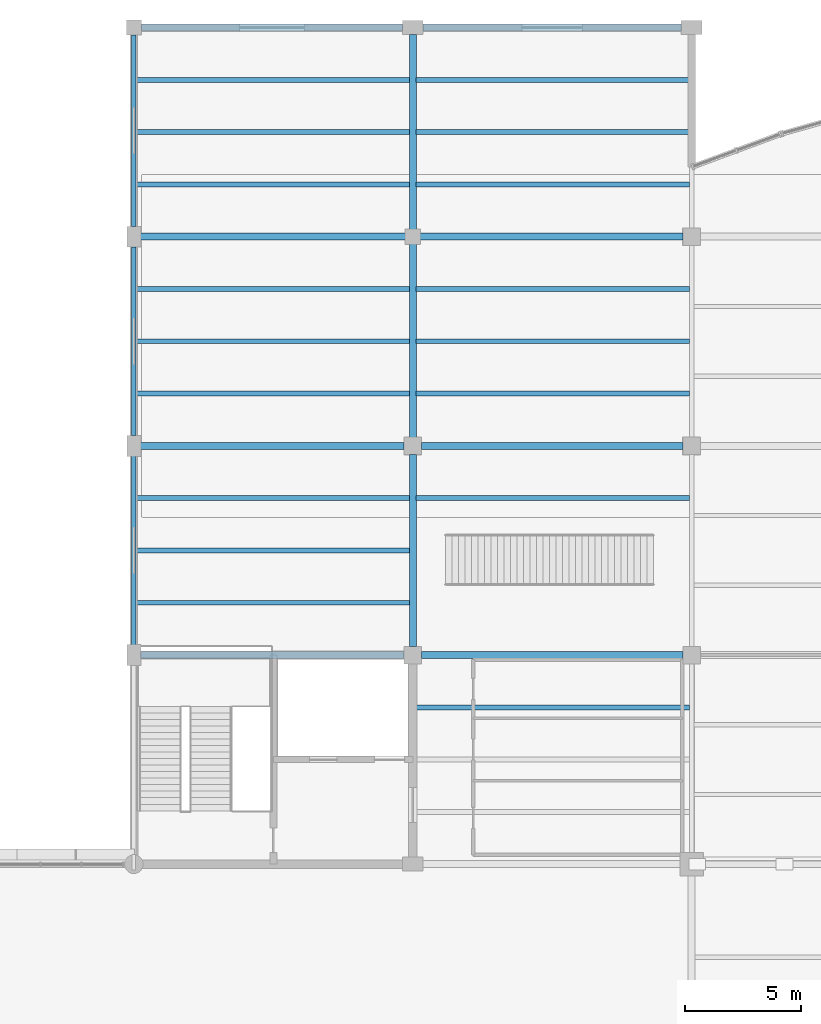
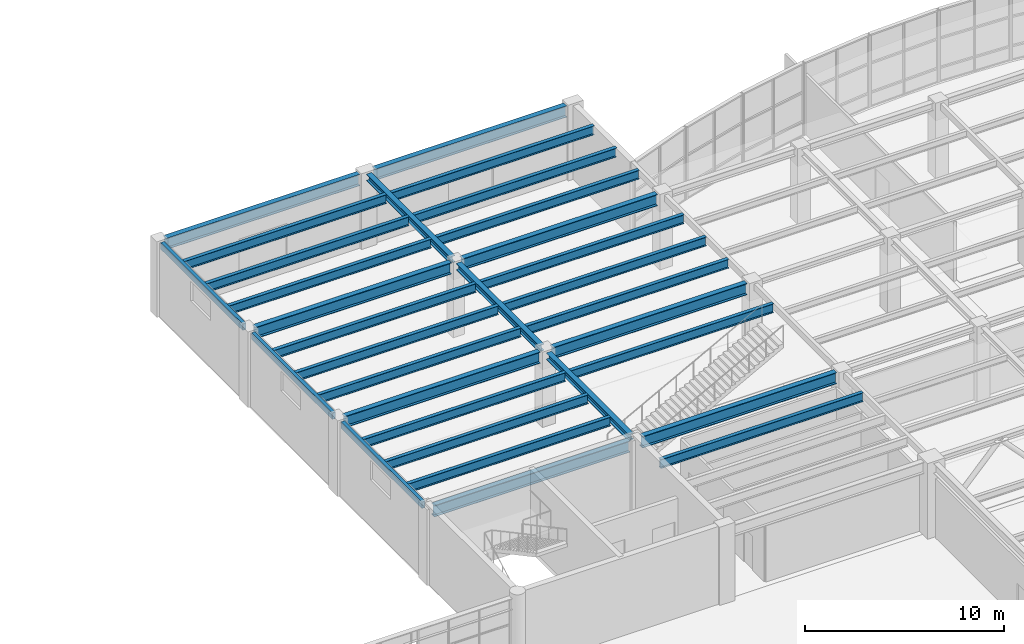
# One storey, part 24 of 72: 31 beams.
"""IFC4 building model written with IfcOpenShell, lengths in metres."""

from ifc_helpers import new_model, si_unit, direction, frame, origin, origin_2d, place, context, subcontext, project, spatial, hollow_rectangle, i_section, extrude, material, material_profile, profile_set, type_object, element, save


model = new_model("IFC4")

# Units and contexts
model_context = context("Model", 3, precision=1e-05, world=origin(), true_north=direction((0.0, 1.0)))
body_context = subcontext(model_context, "Body", "Model", "MODEL_VIEW")
ifc_project = project(units=[si_unit("LENGTHUNIT", "METRE"), si_unit("AREAUNIT", "SQUARE_METRE"), si_unit("VOLUMEUNIT", "CUBIC_METRE"), si_unit("PLANEANGLEUNIT", "RADIAN"), si_unit("MASSUNIT", "GRAM", prefix="KILO")], contexts=[model_context])

# Site, building, storey
site_placement = place(None, origin())
site = spatial("IfcSite", under=ifc_project, at=site_placement, CompositionType="ELEMENT")
building_placement = place(site_placement, origin())
building = spatial("IfcBuilding", under=site, at=building_placement, Name="Keelwater Ferry Terminal", CompositionType="ELEMENT")
storey_placement = place(building_placement, frame((0.0, 0.0, 5.39990234375)))
storey = spatial("IfcBuildingStorey", under=building, at=storey_placement, Name="L01", CompositionType="ELEMENT", Elevation=5.39990234375)

# Beams
ifc_material_1 = material(Name="Steel S355", Category="steel")
ifc_material_profile_1 = material_profile(ifc_material_1, i_section(OverallWidth=0.300048828125, OverallDepth=0.699951171875, WebThickness=0.01708984375, FlangeThickness=0.031982421875, at=origin_2d()), Name="HEB 700")
ifc_profile_set_1 = profile_set([ifc_material_profile_1], Name="Steel S355")
beam_type_1 = type_object("IfcBeamType", Name="G2 HEB 700", PredefinedType="BEAM", material=ifc_profile_set_1)
beam_1_placement = place(storey_placement, frame((108.2939453125, 117.0, 4.170166015625), z_axis=(1.0, 0.0, 0.0), x_axis=(0.0, 1.0, 0.0)))
element("IfcBeam", 1, at=beam_1_placement, inside=storey, type_object=beam_type_1, Name="Beam BM-L01-0700", PredefinedType="BEAM", context=body_context, shape_type="SweptSolid", body=[
    extrude(i_section(OverallWidth=0.300048828125, OverallDepth=0.699951171875, WebThickness=0.01708984375, FlangeThickness=0.031982421875, at=origin_2d()), origin(), (0.0, 0.0, 1.0), 11.387939453125),
])
beam_2_placement = place(storey_placement, frame((120.318115234375, 117.0, 4.170166015625), z_axis=(1.0, 0.0, 0.0), x_axis=(0.0, 1.0, 0.0)))
element("IfcBeam", 2, at=beam_2_placement, inside=storey, type_object=beam_type_1, Name="Beam BM-L01-0701", PredefinedType="BEAM", context=body_context, shape_type="SweptSolid", body=[
    extrude(i_section(OverallWidth=0.300048828125, OverallDepth=0.699951171875, WebThickness=0.01708984375, FlangeThickness=0.031982421875, at=origin_2d()), origin(), (0.0, 0.0, 1.0), 11.31396484375),
])
ifc_material_2 = material(Name="Steel S355", Category="steel")
ifc_material_profile_2 = material_profile(ifc_material_2, i_section(OverallWidth=0.300048828125, OverallDepth=0.699951171875, WebThickness=0.01708984375, FlangeThickness=0.031982421875, at=origin_2d()), Name="HEB 700")
ifc_profile_set_2 = profile_set([ifc_material_profile_2], Name="Steel S355")
beam_type_2 = type_object("IfcBeamType", Name="G2E HEB 700", PredefinedType="BEAM", material=ifc_profile_set_2)
beam_3_placement = place(storey_placement, frame((108.2939453125, 99.0, 4.170166015625), z_axis=(1.0, 0.0, 0.0), x_axis=(0.0, 1.0, 0.0)))
element("IfcBeam", 3, at=beam_3_placement, inside=storey, type_object=beam_type_2, Name="Beam BM-L01-0684", PredefinedType="BEAM", context=body_context, shape_type="SweptSolid", body=[
    extrude(i_section(OverallWidth=0.300048828125, OverallDepth=0.699951171875, WebThickness=0.01708984375, FlangeThickness=0.031982421875, at=origin_2d()), origin(), (0.0, 0.0, 1.0), 11.338134765625),
])
beam_4_placement = place(storey_placement, frame((120.367919921875, 99.0, 4.170166015625), z_axis=(1.0, 0.0, 0.0), x_axis=(0.0, 1.0, 0.0)))
element("IfcBeam", 4, at=beam_4_placement, inside=storey, type_object=beam_type_2, Name="Beam BM-L01-0685", PredefinedType="BEAM", context=body_context, shape_type="SweptSolid", body=[
    extrude(i_section(OverallWidth=0.300048828125, OverallDepth=0.699951171875, WebThickness=0.01708984375, FlangeThickness=0.031982421875, at=origin_2d()), origin(), (0.0, 0.0, 1.0), 11.26416015625),
])
beam_5_placement = place(storey_placement, frame((108.2939453125, 108.0, 4.170166015625), z_axis=(1.0, 0.0, 0.0), x_axis=(0.0, 1.0, 0.0)))
element("IfcBeam", 5, at=beam_5_placement, inside=storey, type_object=beam_type_2, Name="Beam BM-L01-0692", PredefinedType="BEAM", context=body_context, shape_type="SweptSolid", body=[
    extrude(i_section(OverallWidth=0.300048828125, OverallDepth=0.699951171875, WebThickness=0.01708984375, FlangeThickness=0.031982421875, at=origin_2d()), origin(), (0.0, 0.0, 1.0), 11.338134765625),
])
beam_6_placement = place(storey_placement, frame((120.367919921875, 108.0, 4.170166015625), z_axis=(1.0, 0.0, 0.0), x_axis=(0.0, 1.0, 0.0)))
element("IfcBeam", 6, at=beam_6_placement, inside=storey, type_object=beam_type_2, Name="Beam BM-L01-0693", PredefinedType="BEAM", context=body_context, shape_type="SweptSolid", body=[
    extrude(i_section(OverallWidth=0.300048828125, OverallDepth=0.699951171875, WebThickness=0.01708984375, FlangeThickness=0.031982421875, at=origin_2d()), origin(), (0.0, 0.0, 1.0), 11.26416015625),
])
beam_7_placement = place(storey_placement, frame((108.318115234375, 126.0, 4.170166015625), z_axis=(1.0, 0.0, 0.0), x_axis=(0.0, 1.0, 0.0)))
element("IfcBeam", 7, at=beam_7_placement, inside=storey, type_object=beam_type_2, Name="Beam BM-L01-0708", PredefinedType="BEAM", context=body_context, shape_type="SweptSolid", body=[
    extrude(i_section(OverallWidth=0.300048828125, OverallDepth=0.699951171875, WebThickness=0.01708984375, FlangeThickness=0.031982421875, at=origin_2d()), origin(), (0.0, 0.0, 1.0), 11.240966796875),
])
beam_8_placement = place(storey_placement, frame((120.44091796875, 126.0, 4.170166015625), z_axis=(1.0, 0.0, 0.0), x_axis=(0.0, 1.0, 0.0)))
element("IfcBeam", 8, at=beam_8_placement, inside=storey, type_object=beam_type_2, Name="Beam BM-L01-0709", PredefinedType="BEAM", context=body_context, shape_type="SweptSolid", body=[
    extrude(i_section(OverallWidth=0.300048828125, OverallDepth=0.699951171875, WebThickness=0.01708984375, FlangeThickness=0.031982421875, at=origin_2d()), origin(), (0.0, 0.0, 1.0), 11.1181640625),
])
ifc_material_3 = material(Name="Steel S355", Category="steel")
ifc_material_profile_3 = material_profile(ifc_material_3, i_section(OverallWidth=0.300048828125, OverallDepth=0.39990234375, WebThickness=0.013427734375, FlangeThickness=0.02392578125, at=origin_2d()), Name="HEB 400")
ifc_profile_set_3 = profile_set([ifc_material_profile_3], Name="Steel S355")
beam_type_3 = type_object("IfcBeamType", Name="G7 HEB 400", PredefinedType="BEAM", material=ifc_profile_set_3)
beam_9_placement = place(storey_placement, frame((120.0, 99.367919921875, 4.320068359375), z_axis=(0.0, 1.0, 0.0), x_axis=(-1.0, 0.0, 0.0)))
element("IfcBeam", 9, at=beam_9_placement, inside=storey, type_object=beam_type_3, Name="Beam BM-L01-0748", PredefinedType="BEAM", context=body_context, shape_type="SweptSolid", body=[
    extrude(i_section(OverallWidth=0.300048828125, OverallDepth=0.39990234375, WebThickness=0.013427734375, FlangeThickness=0.02392578125, at=origin_2d()), origin(), (0.0, 0.0, 1.0), 8.26416015625),
])
beam_10_placement = place(storey_placement, frame((120.0, 108.367919921875, 4.320068359375), z_axis=(0.0, 1.0, 0.0), x_axis=(-1.0, 0.0, 0.0)))
element("IfcBeam", 10, at=beam_10_placement, inside=storey, type_object=beam_type_3, Name="Beam BM-L01-0749", PredefinedType="BEAM", context=body_context, shape_type="SweptSolid", body=[
    extrude(i_section(OverallWidth=0.300048828125, OverallDepth=0.39990234375, WebThickness=0.013427734375, FlangeThickness=0.02392578125, at=origin_2d()), origin(), (0.0, 0.0, 1.0), 8.31396484375),
])
beam_11_placement = place(storey_placement, frame((120.0, 117.318115234375, 4.320068359375), z_axis=(0.0, 1.0, 0.0), x_axis=(-1.0, 0.0, 0.0)))
element("IfcBeam", 11, at=beam_11_placement, inside=storey, type_object=beam_type_3, Name="Beam BM-L01-0750", PredefinedType="BEAM", context=body_context, shape_type="SweptSolid", body=[
    extrude(i_section(OverallWidth=0.300048828125, OverallDepth=0.39990234375, WebThickness=0.013427734375, FlangeThickness=0.02392578125, at=origin_2d()), origin(), (0.0, 0.0, 1.0), 8.387939453125),
])
ifc_material_4 = material(Name="Steel S355", Category="steel")
ifc_material_profile_4 = material_profile(ifc_material_4, i_section(OverallWidth=0.2099609375, OverallDepth=0.550048828125, WebThickness=0.010986328125, FlangeThickness=0.01708984375, at=origin_2d()), Name="IPE 550")
ifc_profile_set_4 = profile_set([ifc_material_profile_4], Name="Steel S355")
beam_type_4 = type_object("IfcBeamType", Name="J2 IPE 550", PredefinedType="JOIST", material=ifc_profile_set_4)
for number, where, z_axis, x_axis, name in (
    (12, (108.10009765625, 101.25, 4.2451171875), (1.0, 0.0, 0.0), (0.0, 1.0, 0.0), "Beam BM-L01-0853"),
    (13, (108.10009765625, 103.5, 4.2451171875), (1.0, 0.0, 0.0), (0.0, 1.0, 0.0), "Beam BM-L01-0854"),
    (14, (108.10009765625, 105.75, 4.2451171875), (1.0, 0.0, 0.0), (0.0, 1.0, 0.0), "Beam BM-L01-0855"),
    (15, (108.10009765625, 110.25, 4.2451171875), (1.0, 0.0, 0.0), (0.0, 1.0, 0.0), "Beam BM-L01-0856"),
    (16, (108.10009765625, 112.5, 4.2451171875), (1.0, 0.0, 0.0), (0.0, 1.0, 0.0), "Beam BM-L01-0857"),
    (17, (108.10009765625, 114.75, 4.2451171875), (1.0, 0.0, 0.0), (0.0, 1.0, 0.0), "Beam BM-L01-0858"),
    (18, (108.10009765625, 119.25, 4.2451171875), (1.0, 0.0, 0.0), (0.0, 1.0, 0.0), "Beam BM-L01-0859"),
    (19, (108.10009765625, 121.5, 4.2451171875), (1.0, 0.0, 0.0), (0.0, 1.0, 0.0), "Beam BM-L01-0860"),
    (20, (108.10009765625, 123.75, 4.2451171875), (1.0, 0.0, 0.0), (0.0, 1.0, 0.0), "Beam BM-L01-0861"),
    (21, (120.14990234375, 96.75, 4.2451171875), (1.0, 0.0, 0.0), (0.0, 1.0, 0.0), "Beam BM-L01-0864"),
    (22, (120.14990234375, 105.75, 4.2451171875), (1.0, 0.0, 0.0), (0.0, 1.0, 0.0), "Beam BM-L01-0865"),
    (23, (120.14990234375, 110.25, 4.2451171875), (1.0, 0.0, 0.0), (0.0, 1.0, 0.0), "Beam BM-L01-0866"),
    (24, (120.14990234375, 112.5, 4.2451171875), (1.0, 0.0, 0.0), (0.0, 1.0, 0.0), "Beam BM-L01-0867"),
    (25, (120.14990234375, 114.75, 4.2451171875), (1.0, 0.0, 0.0), (0.0, 1.0, 0.0), "Beam BM-L01-0868"),
    (26, (120.14990234375, 119.25, 4.2451171875), (1.0, 0.0, 0.0), (0.0, 1.0, 0.0), "Beam BM-L01-0869"),
    (27, (120.14990234375, 121.5, 4.2451171875), (1.0, 0.0, 0.0), (0.0, 1.0, 0.0), "Beam BM-L01-0870"),
    (28, (120.14990234375, 123.75, 4.2451171875), (1.0, 0.0, 0.0), (0.0, 1.0, 0.0), "Beam BM-L01-0871"),
):
    element("IfcBeam", number, at=place(storey_placement, frame(where, z_axis=z_axis, x_axis=x_axis)), inside=storey, type_object=beam_type_4, Name=name, PredefinedType="JOIST", context=body_context, shape_type="SweptSolid", body=[
        extrude(i_section(OverallWidth=0.2099609375, OverallDepth=0.550048828125, WebThickness=0.010986328125, FlangeThickness=0.01708984375, at=origin_2d()), origin(), (0.0, 0.0, 1.0), 11.75),
    ])
ifc_material_5 = material(Name="Steel S355", Category="steel")
ifc_material_profile_5 = material_profile(ifc_material_5, hollow_rectangle(XDim=0.199951171875, YDim=0.39990234375, WallThickness=0.01611328125, at=origin_2d()), Name="RHS 400x200x16")
ifc_profile_set_5 = profile_set([ifc_material_profile_5], Name="Steel S355")
beam_type_5 = type_object("IfcBeamType", Name="SP3E RHS 400x200x16", PredefinedType="SPANDREL", material=ifc_profile_set_5)
for number, where, z_axis, x_axis, name in (
    (29, (108.0, 99.44091796875, 4.320068359375), (0.0, 1.0, 0.0), (-1.0, 0.0, 0.0), "Beam BM-L01-0744"),
    (30, (108.0, 108.44091796875, 4.320068359375), (0.0, 1.0, 0.0), (-1.0, 0.0, 0.0), "Beam BM-L01-0745"),
):
    element("IfcBeam", number, at=place(storey_placement, frame(where, z_axis=z_axis, x_axis=x_axis)), inside=storey, type_object=beam_type_5, Name=name, PredefinedType="SPANDREL", context=body_context, shape_type="SweptSolid", body=[
        extrude(hollow_rectangle(XDim=0.199951171875, YDim=0.39990234375, WallThickness=0.01611328125, at=origin_2d()), origin(), (0.0, 0.0, 1.0), 8.1181640625),
    ])
beam_12_placement = place(storey_placement, frame((108.0, 117.44091796875, 4.320068359375), z_axis=(0.0, 1.0, 0.0), x_axis=(-1.0, 0.0, 0.0)))
element("IfcBeam", 31, at=beam_12_placement, inside=storey, type_object=beam_type_5, Name="Beam BM-L01-0746", PredefinedType="SPANDREL", context=body_context, shape_type="SweptSolid", body=[
    extrude(hollow_rectangle(XDim=0.199951171875, YDim=0.39990234375, WallThickness=0.01611328125, at=origin_2d()), origin(), (0.0, 0.0, 1.0), 8.240966796875),
])

save(model, "model.ifc")
